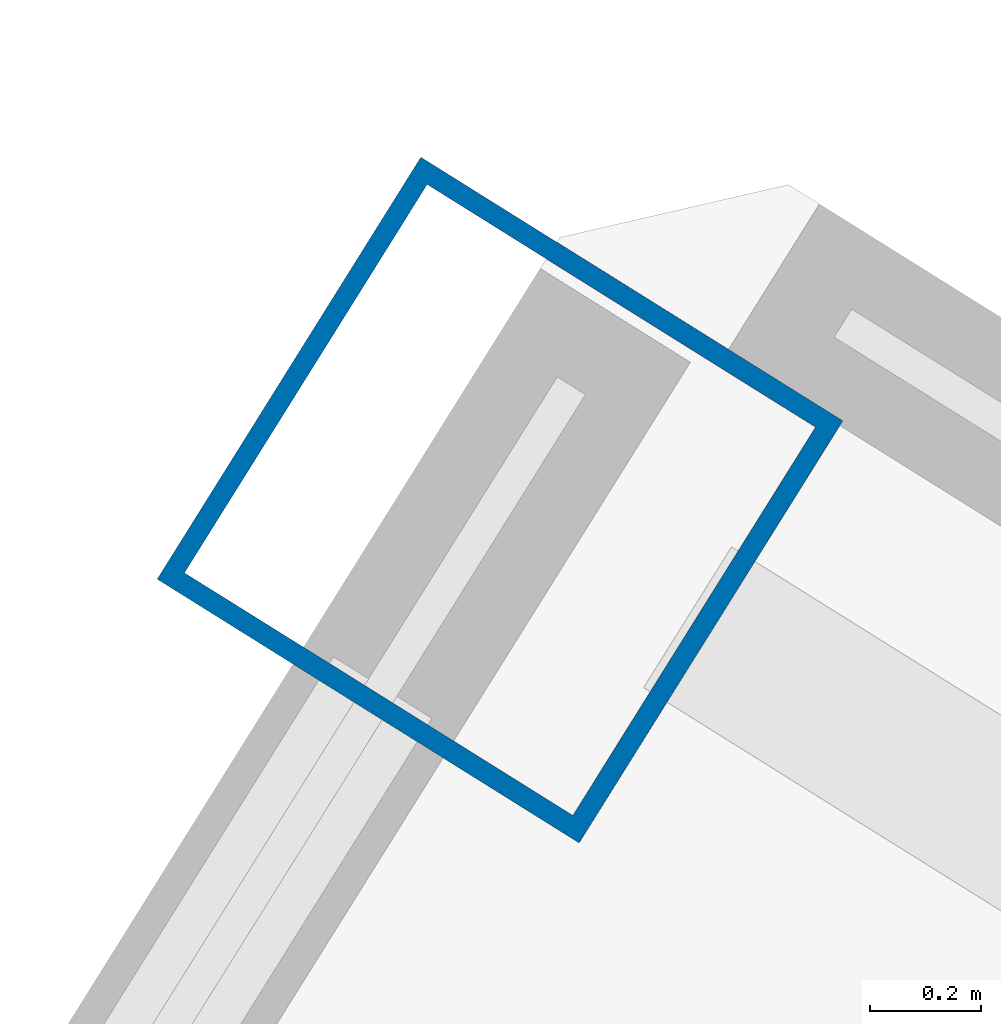
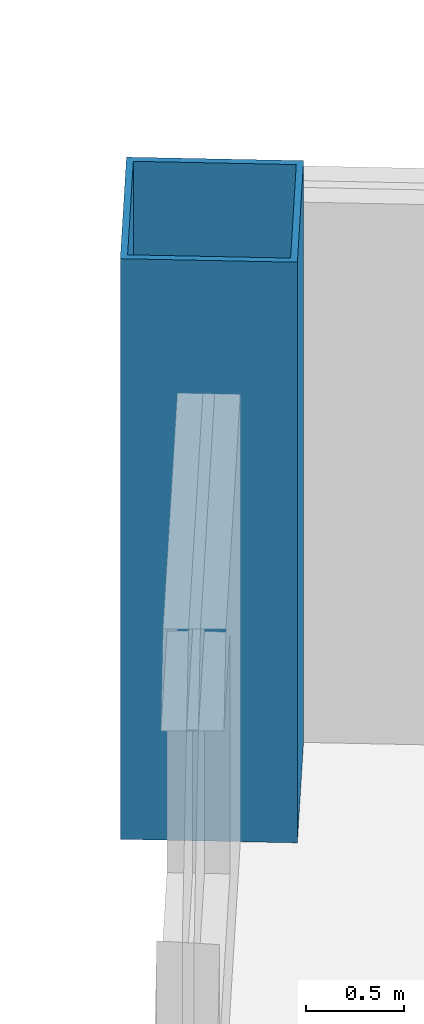
# One storey, part 3 of 19: 1 column.
"""IFC4 building model written with IfcOpenShell, lengths in metres."""

from ifc_helpers import new_model, si_unit, direction, frame, origin, origin_2d, place, context, subcontext, project, spatial, hollow_rectangle, extrude, source, transform, mapped, material, material_profile, profile_set, type_object, element, save


model = new_model("IFC4")

# Units and contexts
model_context = context("Model", 3, precision=1e-05, world=origin(), true_north=direction((0.0, 1.0)))
body_context = subcontext(model_context, "Body", "Model", "MODEL_VIEW")
ifc_project = project(units=[si_unit("LENGTHUNIT", "METRE"), si_unit("AREAUNIT", "SQUARE_METRE"), si_unit("VOLUMEUNIT", "CUBIC_METRE"), si_unit("PLANEANGLEUNIT", "RADIAN"), si_unit("MASSUNIT", "GRAM", prefix="KILO")], contexts=[model_context])

# Site, building, storey
site_placement = place(None, origin())
site = spatial("IfcSite", under=ifc_project, at=site_placement, CompositionType="ELEMENT")
building_placement = place(site_placement, origin())
building = spatial("IfcBuilding", under=site, at=building_placement, Name="Tlacorven Tower", CompositionType="ELEMENT")
storey_placement = place(building_placement, frame((0.0, 0.0, 144.300048828125)))
storey = spatial("IfcBuildingStorey", under=building, at=storey_placement, Name="L36", CompositionType="ELEMENT", Elevation=144.300048828125)

# Column
ifc_material = material(Name="Steel S460M", Category="steel")
ifc_material_profile = material_profile(ifc_material, hollow_rectangle(XDim=0.89990234375, YDim=0.89990234375, WallThickness=0.035888671875, at=origin_2d()), Name="BOX 900X900X36")
ifc_profile_set = profile_set([ifc_material_profile], Name="Steel S460M")
column_type = type_object("IfcColumnType", Name="COL-TWR-S2", PredefinedType="COLUMN", material=ifc_profile_set)
shared_shape = source(origin(), body_context, "Body", "SweptSolid", [
    extrude(hollow_rectangle(XDim=0.89990234375, YDim=0.89990234375, WallThickness=0.035888671875, at=origin_2d()), origin(), (0.0, 0.0, 1.0), 3.599853515625),
])
column_placement = place(storey_placement, frame((13.6455078125, 41.42578125, 0.0), z_axis=(0.0, 0.0, 1.0), x_axis=(-0.848048096156, 0.529919264233, 0.0)))
element("IfcColumn", 1, at=column_placement, inside=storey, type_object=column_type, Name="L36 column COL-L36-W6-1", PredefinedType="COLUMN", context=body_context, shape_type="MappedRepresentation", body=[
    mapped(shared_shape, transform((0.0, 0.0, 0.0), scale=1.0)),
])

save(model, "model.ifc")
